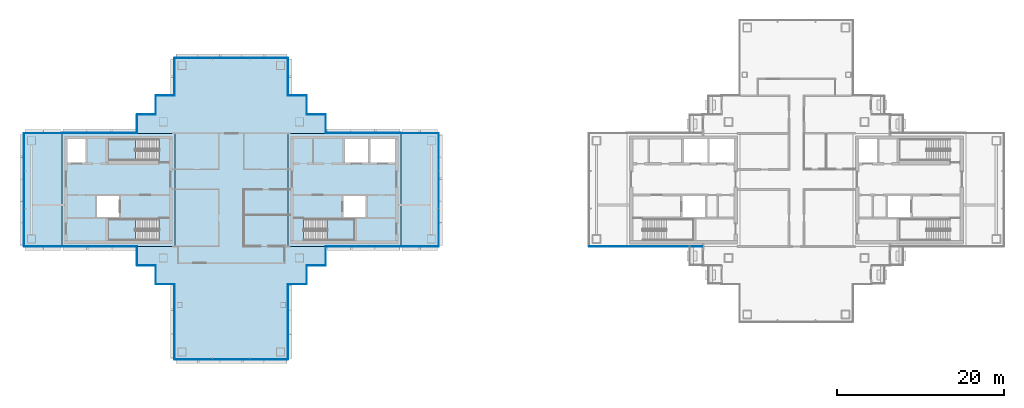
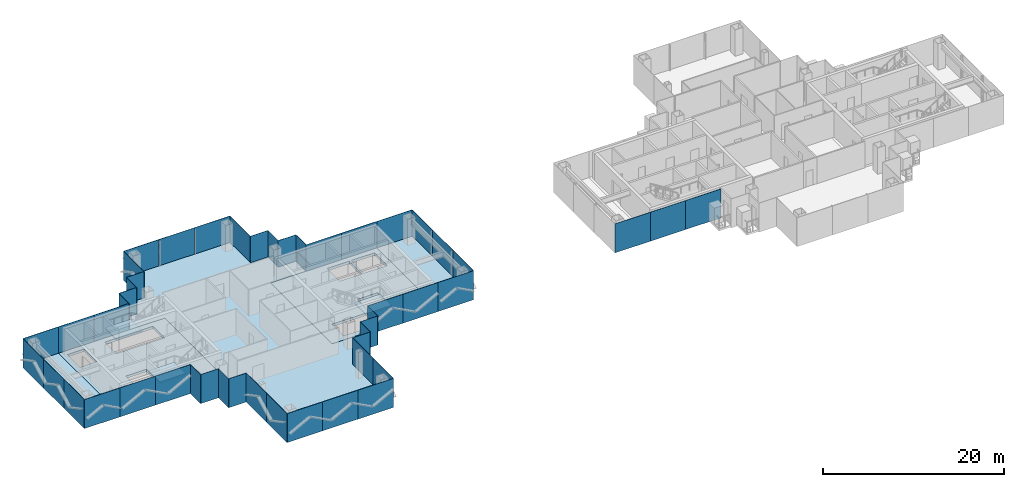
# One storey, part 7 of 17: 49 plates, 8 slabs, 25 elements without a shape of their own.
"""IFC4 building model written with IfcOpenShell, lengths in metres."""

from ifc_helpers import new_model, si_unit, direction, frame, origin, origin_2d, place, context, subcontext, project, spatial, polyline, rectangle, outline, extrude, material, layer, layer_set, type_object, element, aggregate, save


model = new_model("IFC4")

# Units and contexts
model_context = context("Model", 3, precision=1e-05, world=origin(), true_north=direction((0.0, 1.0)))
body_context = subcontext(model_context, "Body", "Model", "MODEL_VIEW")
ifc_project = project(units=[si_unit("LENGTHUNIT", "METRE"), si_unit("AREAUNIT", "SQUARE_METRE"), si_unit("VOLUMEUNIT", "CUBIC_METRE"), si_unit("PLANEANGLEUNIT", "RADIAN"), si_unit("MASSUNIT", "GRAM", prefix="KILO")], contexts=[model_context])

# Site, building, storey
site_placement = place(None, origin())
site = spatial("IfcSite", under=ifc_project, at=site_placement, CompositionType="ELEMENT")
building_placement = place(site_placement, origin())
building = spatial("IfcBuilding", under=site, at=building_placement, Name="Shamsa Quay Exchange Towers", CompositionType="ELEMENT")
storey_placement = place(building_placement, frame((0.0, 0.0, 194.39990234375)))
storey = spatial("IfcBuildingStorey", under=building, at=storey_placement, Name="L46", CompositionType="ELEMENT", Elevation=194.39990234375)

# Slabs
ifc_material_1 = material(Name="Concrete C50/60", Category="concrete")
ifc_layer_1 = layer(ifc_material_1, 0.35009765625)
ifc_layer_set_1 = layer_set([ifc_layer_1], Name="CORE FLOOR 350 C50/60")
slab_type_1 = type_object("IfcSlabType", Name="CORE FLOOR 350 C50/60", PredefinedType="FLOOR", material=ifc_layer_set_1)
slab_1_placement = place(storey_placement, frame((0.0, 0.0, -0.349853515625)))
element("IfcSlab", 1, at=slab_1_placement, inside=storey, type_object=slab_type_1, Name="Core floor T1A", PredefinedType="FLOOR", context=body_context, shape_type="SweptSolid", body=[
    extrude(outline(polyline([(-27.0, -6.75), (-13.5, -6.75), (-13.5, 6.75), (-27.0, 6.75), (-27.0, -6.75)]), holes=[polyline([(-25.099365234375, -6.050048828125), (-25.099365234375, -3.5), (-19.0, -3.5), (-19.0, -6.050048828125), (-25.099365234375, -6.050048828125)]), polyline([(-20.199951171875, 3.25), (-20.199951171875, 6.050048828125), (-17.39990234375, 6.050048828125), (-17.39990234375, 3.25), (-20.199951171875, 3.25)]), polyline([(-17.14990234375, 3.25), (-17.14990234375, 6.050048828125), (-14.199951171875, 6.050048828125), (-14.199951171875, 3.25), (-17.14990234375, 3.25)]), polyline([(-20.35009765625, -3.25), (-20.35009765625, -0.75), (-17.699951171875, -0.75), (-17.699951171875, -3.25), (-20.35009765625, -3.25)])]), origin(), (0.0, 0.0, 1.0), 0.349853515625),
])
slab_2_placement = place(storey_placement, frame((0.0, 0.0, -0.349853515625)))
element("IfcSlab", 2, at=slab_2_placement, inside=storey, type_object=slab_type_1, Name="Core floor T1B", PredefinedType="FLOOR", context=body_context, shape_type="SweptSolid", body=[
    extrude(outline(polyline([(-40.5, -6.75), (-40.5, 6.75), (-54.0, 6.75), (-54.0, -6.75), (-40.5, -6.75)]), holes=[polyline([(-42.400634765625, -3.5), (-42.400634765625, -6.050048828125), (-48.5, -6.050048828125), (-48.5, -3.5), (-42.400634765625, -3.5)]), polyline([(-42.400634765625, 6.050048828125), (-42.400634765625, 3.5), (-48.5, 3.5), (-48.5, 6.050048828125), (-42.400634765625, 6.050048828125)]), polyline([(-51.14990234375, 3.25), (-53.300048828125, 3.25), (-53.300048828125, 6.050048828125), (-51.14990234375, 6.050048828125), (-51.14990234375, 3.25)]), polyline([(-47.14990234375, -3.25), (-49.800048828125, -3.25), (-49.800048828125, -0.75), (-47.14990234375, -0.75), (-47.14990234375, -3.25)])]), origin(), (0.0, 0.0, 1.0), 0.349853515625),
])

# Stair, slab
ifc_material_2 = material(Name="Concrete C40/50", Category="concrete")
stair_type = type_object("IfcStairType", Name="EXIT STAIR 22 RISERS 177 MM", PredefinedType="HALF_TURN_STAIR", material=ifc_material_2)
stair_1_placement = place(storey_placement, origin())
stair_1 = element("IfcStair", 3, at=stair_1_placement, inside=storey, type_object=stair_type, Name="L46 Exit stair ST1", PredefinedType="HALF_TURN_STAIR")
ifc_layer_2 = layer(ifc_material_2, 0.199951171875)
ifc_layer_set_2 = layer_set([ifc_layer_2], Name="CORE STAIR LANDING")
slab_type_2 = type_object("IfcSlabType", Name="CORE STAIR LANDING", PredefinedType="LANDING", material=ifc_layer_set_2)
slab_3_placement = place(storey_placement, frame((0.0, 0.0, 1.75)))
slab_3 = element("IfcSlab", 4, at=slab_3_placement, type_object=slab_type_2, Name="ST1 landing 1", PredefinedType="LANDING", context=body_context, shape_type="SweptSolid", body=[
    extrude(outline(polyline([(-22.300048828125, -6.050048828125), (-19.0, -6.050048828125), (-19.0, -3.5), (-22.300048828125, -3.5), (-22.300048828125, -6.050048828125)])), origin(), (0.0, 0.0, 1.0), 0.2001953125),
])
aggregate(stair_1, [slab_3])

stair_2_placement = place(storey_placement, origin())
stair_2 = element("IfcStair", 5, at=stair_2_placement, inside=storey, type_object=stair_type, Name="L46 Exit stair ST2", PredefinedType="HALF_TURN_STAIR")
slab_4_placement = place(storey_placement, frame((0.0, 0.0, 1.75)))
slab_4 = element("IfcSlab", 6, at=slab_4_placement, type_object=slab_type_2, Name="ST2 landing 1", PredefinedType="LANDING", context=body_context, shape_type="SweptSolid", body=[
    extrude(outline(polyline([(-45.199951171875, -3.5), (-48.5, -3.5), (-48.5, -6.050048828125), (-45.199951171875, -6.050048828125), (-45.199951171875, -3.5)])), origin(), (0.0, 0.0, 1.0), 0.2001953125),
])
aggregate(stair_2, [slab_4])

stair_3_placement = place(storey_placement, origin())
stair_3 = element("IfcStair", 7, at=stair_3_placement, inside=storey, type_object=stair_type, Name="L46 Exit stair ST3", PredefinedType="HALF_TURN_STAIR")
slab_5_placement = place(storey_placement, frame((0.0, 0.0, 1.75)))
slab_5 = element("IfcSlab", 8, at=slab_5_placement, type_object=slab_type_2, Name="ST3 landing 1", PredefinedType="LANDING", context=body_context, shape_type="SweptSolid", body=[
    extrude(outline(polyline([(-45.199951171875, 6.050048828125), (-48.5, 6.050048828125), (-48.5, 3.5), (-45.199951171875, 3.5), (-45.199951171875, 6.050048828125)])), origin(), (0.0, 0.0, 1.0), 0.2001953125),
])
aggregate(stair_3, [slab_5])

# Curtain wall, plates
ifc_material_3 = material(Name="Aluminium EN AW-6063 T6, black anodised", Category="aluminium")
ifc_layer_3 = layer(ifc_material_3, 0.280029296875)
ifc_layer_set_3 = layer_set([ifc_layer_3], Name="CW-1 UNITISED VISION GLASS")
curtain_wall_type_1 = type_object("IfcCurtainWallType", Name="CW-1 UNITISED VISION GLASS", PredefinedType="NOTDEFINED", material=ifc_layer_set_3)
curtain_wall_1_placement = place(storey_placement, origin())
curtain_wall_1 = element("IfcCurtainWall", 9, at=curtain_wall_1_placement, inside=storey, type_object=curtain_wall_type_1, Name="CW1 T1-FLK-V-W L46", PredefinedType="NOTDEFINED")
ifc_material_4 = material(Name="Glass, laminated, dark tinted", Category="glass")
ifc_layer_4 = layer(ifc_material_4, 0.0400390625)
ifc_layer_set_4 = layer_set([ifc_layer_4], Name="CW-1 VISION GLASS 40")
plate_type_1 = type_object("IfcPlateType", Name="CW-1 VISION GLASS 40", PredefinedType="CURTAIN_PANEL", material=ifc_layer_set_4)
plate_1_placement = place(storey_placement, frame((-40.52001953125, -13.52587890625, -0.349853515625), z_axis=(0.0, 0.0, 1.0), x_axis=(0.0, -1.0, 0.0)))
plate_1 = element("IfcPlate", 10, at=plate_1_placement, type_object=plate_type_1, Name="CW1 glass panel", PredefinedType="CURTAIN_PANEL", context=body_context, shape_type="SweptSolid", body=[
    extrude(rectangle(XDim=4.47607421875, YDim=0.0400390625, at=origin_2d()), origin(), (0.0, 0.0, 1.0), 3.89990234375),
])
plate_2_placement = place(storey_placement, frame((-40.52001953125, -18.011962890625, -0.349853515625), z_axis=(0.0, 0.0, 1.0), x_axis=(0.0, -1.0, 0.0)))
plate_2 = element("IfcPlate", 11, at=plate_2_placement, type_object=plate_type_1, Name="CW1 glass panel", PredefinedType="CURTAIN_PANEL", context=body_context, shape_type="SweptSolid", body=[
    extrude(rectangle(XDim=4.47607421875, YDim=0.0400390625, at=origin_2d()), origin(), (0.0, 0.0, 1.0), 3.89990234375),
])
aggregate(curtain_wall_1, [plate_1, plate_2])

curtain_wall_2_placement = place(storey_placement, origin())
curtain_wall_2 = element("IfcCurtainWall", 12, at=curtain_wall_2_placement, inside=storey, type_object=curtain_wall_type_1, Name="CW1 T1-END-V- L46", PredefinedType="NOTDEFINED")
plate_3_placement = place(storey_placement, frame((-38.25244140625, -20.27001953125, -0.349853515625)))
plate_3 = element("IfcPlate", 13, at=plate_3_placement, type_object=plate_type_1, Name="CW1 glass panel", PredefinedType="CURTAIN_PANEL", context=body_context, shape_type="SweptSolid", body=[
    extrude(rectangle(XDim=4.4951171875, YDim=0.0400390625, at=origin_2d()), origin(), (0.0, 0.0, 1.0), 3.89990234375),
])
plate_4_placement = place(storey_placement, frame((-33.75, -20.27001953125, -0.349853515625)))
plate_4 = element("IfcPlate", 14, at=plate_4_placement, type_object=plate_type_1, Name="CW1 glass panel", PredefinedType="CURTAIN_PANEL", context=body_context, shape_type="SweptSolid", body=[
    extrude(rectangle(XDim=4.489990234375, YDim=0.0400390625, at=origin_2d()), origin(), (0.0, 0.0, 1.0), 3.89990234375),
])
plate_5_placement = place(storey_placement, frame((-29.24755859375, -20.27001953125, -0.349853515625)))
plate_5 = element("IfcPlate", 15, at=plate_5_placement, type_object=plate_type_1, Name="CW1 glass panel", PredefinedType="CURTAIN_PANEL", context=body_context, shape_type="SweptSolid", body=[
    extrude(rectangle(XDim=4.4951171875, YDim=0.0400390625, at=origin_2d()), origin(), (0.0, 0.0, 1.0), 3.89990234375),
])
aggregate(curtain_wall_2, [plate_3, plate_4, plate_5])

curtain_wall_3_placement = place(storey_placement, origin())
curtain_wall_3 = element("IfcCurtainWall", 16, at=curtain_wall_3_placement, inside=storey, type_object=curtain_wall_type_1, Name="CW1 T1-FLK-V-E L46", PredefinedType="NOTDEFINED")
plate_6_placement = place(storey_placement, frame((-26.97998046875, -18.00244140625, -0.349853515625), z_axis=(0.0, 0.0, 1.0), x_axis=(0.0, 1.0, 0.0)))
plate_6 = element("IfcPlate", 17, at=plate_6_placement, type_object=plate_type_1, Name="CW1 glass panel", PredefinedType="CURTAIN_PANEL", context=body_context, shape_type="SweptSolid", body=[
    extrude(rectangle(XDim=4.4951171875, YDim=0.0400390625, at=origin_2d()), origin(), (0.0, 0.0, 1.0), 3.89990234375),
])
plate_7_placement = place(storey_placement, frame((-26.97998046875, -13.49755859375, -0.349853515625), z_axis=(0.0, 0.0, 1.0), x_axis=(0.0, 1.0, 0.0)))
plate_7 = element("IfcPlate", 18, at=plate_7_placement, type_object=plate_type_1, Name="CW1 glass panel", PredefinedType="CURTAIN_PANEL", context=body_context, shape_type="SweptSolid", body=[
    extrude(rectangle(XDim=4.4951171875, YDim=0.0400390625, at=origin_2d()), origin(), (0.0, 0.0, 1.0), 3.89990234375),
])
aggregate(curtain_wall_3, [plate_6, plate_7])

# Curtain wall, plate
curtain_wall_4_placement = place(storey_placement, origin())
curtain_wall_4 = element("IfcCurtainWall", 19, at=curtain_wall_4_placement, inside=storey, type_object=curtain_wall_type_1, Name="CW1 T1-FLK-U+S L46", PredefinedType="NOTDEFINED")
plate_8_placement = place(storey_placement, frame((-11.25, -6.77001953125, -0.349853515625)))
plate_8 = element("IfcPlate", 20, at=plate_8_placement, type_object=plate_type_1, Name="CW1 glass panel", PredefinedType="CURTAIN_PANEL", context=body_context, shape_type="SweptSolid", body=[
    extrude(rectangle(XDim=4.5, YDim=0.0400390625, at=origin_2d()), origin(), (0.0, 0.0, 1.0), 3.89990234375),
])
aggregate(curtain_wall_4, [plate_8])

# Curtain wall, plates
curtain_wall_5_placement = place(storey_placement, origin())
curtain_wall_5 = element("IfcCurtainWall", 21, at=curtain_wall_5_placement, inside=storey, type_object=curtain_wall_type_1, Name="CW1 T1-END-U+ L46", PredefinedType="NOTDEFINED")
plate_9_placement = place(storey_placement, frame((-8.97998046875, -4.50244140625, -0.349853515625), z_axis=(0.0, 0.0, 1.0), x_axis=(0.0, 1.0, 0.0)))
plate_9 = element("IfcPlate", 22, at=plate_9_placement, type_object=plate_type_1, Name="CW1 glass panel", PredefinedType="CURTAIN_PANEL", context=body_context, shape_type="SweptSolid", body=[
    extrude(rectangle(XDim=4.4951171875, YDim=0.0400390625, at=origin_2d()), origin(), (0.0, 0.0, 1.0), 3.89990234375),
])
plate_10_placement = place(storey_placement, frame((-8.97998046875, 0.0, -0.349853515625), z_axis=(0.0, 0.0, 1.0), x_axis=(0.0, 1.0, 0.0)))
plate_10 = element("IfcPlate", 23, at=plate_10_placement, type_object=plate_type_1, Name="CW1 glass panel", PredefinedType="CURTAIN_PANEL", context=body_context, shape_type="SweptSolid", body=[
    extrude(rectangle(XDim=4.489990234375, YDim=0.0400390625, at=origin_2d()), origin(), (0.0, 0.0, 1.0), 3.89990234375),
])
plate_11_placement = place(storey_placement, frame((-8.97998046875, 4.50244140625, -0.349853515625), z_axis=(0.0, 0.0, 1.0), x_axis=(0.0, 1.0, 0.0)))
plate_11 = element("IfcPlate", 24, at=plate_11_placement, type_object=plate_type_1, Name="CW1 glass panel", PredefinedType="CURTAIN_PANEL", context=body_context, shape_type="SweptSolid", body=[
    extrude(rectangle(XDim=4.4951171875, YDim=0.0400390625, at=origin_2d()), origin(), (0.0, 0.0, 1.0), 3.89990234375),
])
aggregate(curtain_wall_5, [plate_9, plate_10, plate_11])

# Curtain wall, plate
curtain_wall_6_placement = place(storey_placement, origin())
curtain_wall_6 = element("IfcCurtainWall", 25, at=curtain_wall_6_placement, inside=storey, type_object=curtain_wall_type_1, Name="CW1 T1-FLK-U+N L46", PredefinedType="NOTDEFINED")
plate_12_placement = place(storey_placement, frame((-11.25, 6.77001953125, -0.349853515625), z_axis=(0.0, 0.0, 1.0), x_axis=(-1.0, 0.0, 0.0)))
plate_12 = element("IfcPlate", 26, at=plate_12_placement, type_object=plate_type_1, Name="CW1 glass panel", PredefinedType="CURTAIN_PANEL", context=body_context, shape_type="SweptSolid", body=[
    extrude(rectangle(XDim=4.5, YDim=0.0400390625, at=origin_2d()), origin(), (0.0, 0.0, 1.0), 3.89990234375),
])
aggregate(curtain_wall_6, [plate_12])

curtain_wall_7_placement = place(storey_placement, origin())
curtain_wall_7 = element("IfcCurtainWall", 27, at=curtain_wall_7_placement, inside=storey, type_object=curtain_wall_type_1, Name="CW1 T1-FLK-V+E L46", PredefinedType="NOTDEFINED")
plate_13_placement = place(storey_placement, frame((-26.97998046875, 13.51904296875, -0.349853515625), z_axis=(0.0, 0.0, 1.0), x_axis=(0.0, 1.0, 0.0)))
plate_13 = element("IfcPlate", 28, at=plate_13_placement, type_object=plate_type_1, Name="CW1 glass panel", PredefinedType="CURTAIN_PANEL", context=body_context, shape_type="SweptSolid", body=[
    extrude(rectangle(XDim=4.4619140625, YDim=0.0400390625, at=origin_2d()), origin(), (0.0, 0.0, 1.0), 3.89990234375),
])
aggregate(curtain_wall_7, [plate_13])

# Curtain wall, plates
curtain_wall_8_placement = place(storey_placement, origin())
curtain_wall_8 = element("IfcCurtainWall", 29, at=curtain_wall_8_placement, inside=storey, type_object=curtain_wall_type_1, Name="CW1 T1-END-V+ L46", PredefinedType="NOTDEFINED")
plate_14_placement = place(storey_placement, frame((-29.24755859375, 15.77001953125, -0.349853515625), z_axis=(0.0, 0.0, 1.0), x_axis=(-1.0, 0.0, 0.0)))
plate_14 = element("IfcPlate", 30, at=plate_14_placement, type_object=plate_type_1, Name="CW1 glass panel", PredefinedType="CURTAIN_PANEL", context=body_context, shape_type="SweptSolid", body=[
    extrude(rectangle(XDim=4.4951171875, YDim=0.0400390625, at=origin_2d()), origin(), (0.0, 0.0, 1.0), 3.89990234375),
])
plate_15_placement = place(storey_placement, frame((-33.75, 15.77001953125, -0.349853515625), z_axis=(0.0, 0.0, 1.0), x_axis=(-1.0, 0.0, 0.0)))
plate_15 = element("IfcPlate", 31, at=plate_15_placement, type_object=plate_type_1, Name="CW1 glass panel", PredefinedType="CURTAIN_PANEL", context=body_context, shape_type="SweptSolid", body=[
    extrude(rectangle(XDim=4.489990234375, YDim=0.0400390625, at=origin_2d()), origin(), (0.0, 0.0, 1.0), 3.89990234375),
])
plate_16_placement = place(storey_placement, frame((-38.25244140625, 15.77001953125, -0.349853515625), z_axis=(0.0, 0.0, 1.0), x_axis=(-1.0, 0.0, 0.0)))
plate_16 = element("IfcPlate", 32, at=plate_16_placement, type_object=plate_type_1, Name="CW1 glass panel", PredefinedType="CURTAIN_PANEL", context=body_context, shape_type="SweptSolid", body=[
    extrude(rectangle(XDim=4.4951171875, YDim=0.0400390625, at=origin_2d()), origin(), (0.0, 0.0, 1.0), 3.89990234375),
])
aggregate(curtain_wall_8, [plate_14, plate_15, plate_16])

# Curtain wall, plate
curtain_wall_9_placement = place(storey_placement, origin())
curtain_wall_9 = element("IfcCurtainWall", 33, at=curtain_wall_9_placement, inside=storey, type_object=curtain_wall_type_1, Name="CW1 T1-FLK-V+W L46", PredefinedType="NOTDEFINED")
plate_17_placement = place(storey_placement, frame((-40.52001953125, 13.5, -0.349853515625), z_axis=(0.0, 0.0, 1.0), x_axis=(0.0, -1.0, 0.0)))
plate_17 = element("IfcPlate", 34, at=plate_17_placement, type_object=plate_type_1, Name="CW1 glass panel", PredefinedType="CURTAIN_PANEL", context=body_context, shape_type="SweptSolid", body=[
    extrude(rectangle(XDim=4.5, YDim=0.0400390625, at=origin_2d()), origin(), (0.0, 0.0, 1.0), 3.89990234375),
])
aggregate(curtain_wall_9, [plate_17])

curtain_wall_10_placement = place(storey_placement, origin())
curtain_wall_10 = element("IfcCurtainWall", 35, at=curtain_wall_10_placement, inside=storey, type_object=curtain_wall_type_1, Name="CW1 T1-FLK-U-N L46", PredefinedType="NOTDEFINED")
plate_18_placement = place(storey_placement, frame((-56.25, 6.77001953125, -0.349853515625), z_axis=(0.0, 0.0, 1.0), x_axis=(-1.0, 0.0, 0.0)))
plate_18 = element("IfcPlate", 36, at=plate_18_placement, type_object=plate_type_1, Name="CW1 glass panel", PredefinedType="CURTAIN_PANEL", context=body_context, shape_type="SweptSolid", body=[
    extrude(rectangle(XDim=4.5, YDim=0.0400390625, at=origin_2d()), origin(), (0.0, 0.0, 1.0), 3.89990234375),
])
aggregate(curtain_wall_10, [plate_18])

# Curtain wall, plates
curtain_wall_11_placement = place(storey_placement, origin())
curtain_wall_11 = element("IfcCurtainWall", 37, at=curtain_wall_11_placement, inside=storey, type_object=curtain_wall_type_1, Name="CW1 T1-END-U- L46", PredefinedType="NOTDEFINED")
plate_19_placement = place(storey_placement, frame((-58.52001953125, 4.50244140625, -0.349853515625), z_axis=(0.0, 0.0, 1.0), x_axis=(0.0, -1.0, 0.0)))
plate_19 = element("IfcPlate", 38, at=plate_19_placement, type_object=plate_type_1, Name="CW1 glass panel", PredefinedType="CURTAIN_PANEL", context=body_context, shape_type="SweptSolid", body=[
    extrude(rectangle(XDim=4.4951171875, YDim=0.0400390625, at=origin_2d()), origin(), (0.0, 0.0, 1.0), 3.89990234375),
])
plate_20_placement = place(storey_placement, frame((-58.52001953125, 0.0, -0.349853515625), z_axis=(0.0, 0.0, 1.0), x_axis=(0.0, -1.0, 0.0)))
plate_20 = element("IfcPlate", 39, at=plate_20_placement, type_object=plate_type_1, Name="CW1 glass panel", PredefinedType="CURTAIN_PANEL", context=body_context, shape_type="SweptSolid", body=[
    extrude(rectangle(XDim=4.489990234375, YDim=0.0400390625, at=origin_2d()), origin(), (0.0, 0.0, 1.0), 3.89990234375),
])
plate_21_placement = place(storey_placement, frame((-58.52001953125, -4.50244140625, -0.349853515625), z_axis=(0.0, 0.0, 1.0), x_axis=(0.0, -1.0, 0.0)))
plate_21 = element("IfcPlate", 40, at=plate_21_placement, type_object=plate_type_1, Name="CW1 glass panel", PredefinedType="CURTAIN_PANEL", context=body_context, shape_type="SweptSolid", body=[
    extrude(rectangle(XDim=4.4951171875, YDim=0.0400390625, at=origin_2d()), origin(), (0.0, 0.0, 1.0), 3.89990234375),
])
aggregate(curtain_wall_11, [plate_19, plate_20, plate_21])

# Curtain wall, plate
curtain_wall_12_placement = place(storey_placement, origin())
curtain_wall_12 = element("IfcCurtainWall", 41, at=curtain_wall_12_placement, inside=storey, type_object=curtain_wall_type_1, Name="CW1 T1-FLK-U-S L46", PredefinedType="NOTDEFINED")
plate_22_placement = place(storey_placement, frame((-56.25, -6.77001953125, -0.349853515625)))
plate_22 = element("IfcPlate", 42, at=plate_22_placement, type_object=plate_type_1, Name="CW1 glass panel", PredefinedType="CURTAIN_PANEL", context=body_context, shape_type="SweptSolid", body=[
    extrude(rectangle(XDim=4.5, YDim=0.0400390625, at=origin_2d()), origin(), (0.0, 0.0, 1.0), 3.89990234375),
])
aggregate(curtain_wall_12, [plate_22])

curtain_wall_13_placement = place(storey_placement, origin())
curtain_wall_13 = element("IfcCurtainWall", 43, at=curtain_wall_13_placement, inside=storey, type_object=curtain_wall_type_1, Name="CW1 T2-FLK-V+W L46", PredefinedType="NOTDEFINED")
plate_23_placement = place(storey_placement, frame((11.25, -6.77001953125, -0.349853515625)))
plate_23 = element("IfcPlate", 44, at=plate_23_placement, type_object=plate_type_1, Name="CW1 glass panel", PredefinedType="CURTAIN_PANEL", context=body_context, shape_type="SweptSolid", body=[
    extrude(rectangle(XDim=4.5, YDim=0.0400390625, at=origin_2d()), origin(), (0.0, 0.0, 1.0), 3.89990234375),
])
aggregate(curtain_wall_13, [plate_23])

# Curtain wall, plates
ifc_layer_5 = layer(ifc_material_3, 0.303955078125)
ifc_layer_set_5 = layer_set([ifc_layer_5], Name="CW-2 UNITISED OPAQUE SPANDREL GLASS")
curtain_wall_type_2 = type_object("IfcCurtainWallType", Name="CW-2 UNITISED OPAQUE SPANDREL GLASS", PredefinedType="NOTDEFINED", material=ifc_layer_set_5)
curtain_wall_14_placement = place(storey_placement, origin())
curtain_wall_14 = element("IfcCurtainWall", 45, at=curtain_wall_14_placement, inside=storey, type_object=curtain_wall_type_2, Name="CW2 T1-FLK-U+S L46", PredefinedType="NOTDEFINED")
ifc_material_5 = material(Name="Glass, laminated, black enamelled opaque", Category="glass")
ifc_layer_6 = layer(ifc_material_5, 0.0439453125)
ifc_layer_set_6 = layer_set([ifc_layer_6], Name="CW-2 SPANDREL GLASS 44")
plate_type_2 = type_object("IfcPlateType", Name="CW-2 SPANDREL GLASS 44", PredefinedType="CURTAIN_PANEL", material=ifc_layer_set_6)
plate_24_placement = place(storey_placement, frame((-20.22412109375, -6.77197265625, -0.349853515625)))
plate_24 = element("IfcPlate", 46, at=plate_24_placement, type_object=plate_type_2, Name="CW2 glass panel", PredefinedType="CURTAIN_PANEL", context=body_context, shape_type="SweptSolid", body=[
    extrude(rectangle(XDim=4.47607421875, YDim=0.0439453125, at=origin_2d()), origin(), (0.0, 0.0, 1.0), 3.89990234375),
])
plate_25_placement = place(storey_placement, frame((-15.738037109375, -6.77197265625, -0.349853515625)))
plate_25 = element("IfcPlate", 47, at=plate_25_placement, type_object=plate_type_2, Name="CW2 glass panel", PredefinedType="CURTAIN_PANEL", context=body_context, shape_type="SweptSolid", body=[
    extrude(rectangle(XDim=4.47607421875, YDim=0.0439453125, at=origin_2d()), origin(), (0.0, 0.0, 1.0), 3.89990234375),
])
aggregate(curtain_wall_14, [plate_24, plate_25])

curtain_wall_15_placement = place(storey_placement, origin())
curtain_wall_15 = element("IfcCurtainWall", 48, at=curtain_wall_15_placement, inside=storey, type_object=curtain_wall_type_2, Name="CW2 T1-FLK-U+N L46", PredefinedType="NOTDEFINED")
plate_26_placement = place(storey_placement, frame((-15.74755859375, 6.77197265625, -0.349853515625), z_axis=(0.0, 0.0, 1.0), x_axis=(-1.0, 0.0, 0.0)))
plate_26 = element("IfcPlate", 49, at=plate_26_placement, type_object=plate_type_2, Name="CW2 glass panel", PredefinedType="CURTAIN_PANEL", context=body_context, shape_type="SweptSolid", body=[
    extrude(rectangle(XDim=4.4951171875, YDim=0.0439453125, at=origin_2d()), origin(), (0.0, 0.0, 1.0), 3.89990234375),
])
plate_27_placement = place(storey_placement, frame((-20.25244140625, 6.77197265625, -0.349853515625), z_axis=(0.0, 0.0, 1.0), x_axis=(-1.0, 0.0, 0.0)))
plate_27 = element("IfcPlate", 50, at=plate_27_placement, type_object=plate_type_2, Name="CW2 glass panel", PredefinedType="CURTAIN_PANEL", context=body_context, shape_type="SweptSolid", body=[
    extrude(rectangle(XDim=4.4951171875, YDim=0.0439453125, at=origin_2d()), origin(), (0.0, 0.0, 1.0), 3.89990234375),
])
aggregate(curtain_wall_15, [plate_26, plate_27])

curtain_wall_16_placement = place(storey_placement, origin())
curtain_wall_16 = element("IfcCurtainWall", 51, at=curtain_wall_16_placement, inside=storey, type_object=curtain_wall_type_2, Name="CW2 T1-FLK-U-N L46", PredefinedType="NOTDEFINED")
plate_28_placement = place(storey_placement, frame((-47.27587890625, 6.77197265625, -0.349853515625), z_axis=(0.0, 0.0, 1.0), x_axis=(-1.0, 0.0, 0.0)))
plate_28 = element("IfcPlate", 52, at=plate_28_placement, type_object=plate_type_2, Name="CW2 glass panel", PredefinedType="CURTAIN_PANEL", context=body_context, shape_type="SweptSolid", body=[
    extrude(rectangle(XDim=4.47607421875, YDim=0.0439453125, at=origin_2d()), origin(), (0.0, 0.0, 1.0), 3.89990234375),
])
plate_29_placement = place(storey_placement, frame((-51.761962890625, 6.77197265625, -0.349853515625), z_axis=(0.0, 0.0, 1.0), x_axis=(-1.0, 0.0, 0.0)))
plate_29 = element("IfcPlate", 53, at=plate_29_placement, type_object=plate_type_2, Name="CW2 glass panel", PredefinedType="CURTAIN_PANEL", context=body_context, shape_type="SweptSolid", body=[
    extrude(rectangle(XDim=4.47607421875, YDim=0.0439453125, at=origin_2d()), origin(), (0.0, 0.0, 1.0), 3.89990234375),
])
aggregate(curtain_wall_16, [plate_28, plate_29])

curtain_wall_17_placement = place(storey_placement, origin())
curtain_wall_17 = element("IfcCurtainWall", 54, at=curtain_wall_17_placement, inside=storey, type_object=curtain_wall_type_2, Name="CW2 T1-FLK-U-S L46", PredefinedType="NOTDEFINED")
plate_30_placement = place(storey_placement, frame((-51.75244140625, -6.77197265625, -0.349853515625)))
plate_30 = element("IfcPlate", 55, at=plate_30_placement, type_object=plate_type_2, Name="CW2 glass panel", PredefinedType="CURTAIN_PANEL", context=body_context, shape_type="SweptSolid", body=[
    extrude(rectangle(XDim=4.4951171875, YDim=0.0439453125, at=origin_2d()), origin(), (0.0, 0.0, 1.0), 3.89990234375),
])
plate_31_placement = place(storey_placement, frame((-47.24755859375, -6.77197265625, -0.349853515625)))
plate_31 = element("IfcPlate", 56, at=plate_31_placement, type_object=plate_type_2, Name="CW2 glass panel", PredefinedType="CURTAIN_PANEL", context=body_context, shape_type="SweptSolid", body=[
    extrude(rectangle(XDim=4.4951171875, YDim=0.0439453125, at=origin_2d()), origin(), (0.0, 0.0, 1.0), 3.89990234375),
])
aggregate(curtain_wall_17, [plate_30, plate_31])

curtain_wall_18_placement = place(storey_placement, origin())
curtain_wall_18 = element("IfcCurtainWall", 57, at=curtain_wall_18_placement, inside=storey, type_object=curtain_wall_type_2, Name="CW2 T2-FLK-V+W L46", PredefinedType="NOTDEFINED")
plate_32_placement = place(storey_placement, frame((15.74755859375, -6.77197265625, -0.349853515625)))
plate_32 = element("IfcPlate", 58, at=plate_32_placement, type_object=plate_type_2, Name="CW2 glass panel", PredefinedType="CURTAIN_PANEL", context=body_context, shape_type="SweptSolid", body=[
    extrude(rectangle(XDim=4.4951171875, YDim=0.0439453125, at=origin_2d()), origin(), (0.0, 0.0, 1.0), 3.89990234375),
])
plate_33_placement = place(storey_placement, frame((20.25244140625, -6.77197265625, -0.349853515625)))
plate_33 = element("IfcPlate", 59, at=plate_33_placement, type_object=plate_type_2, Name="CW2 glass panel", PredefinedType="CURTAIN_PANEL", context=body_context, shape_type="SweptSolid", body=[
    extrude(rectangle(XDim=4.4951171875, YDim=0.0439453125, at=origin_2d()), origin(), (0.0, 0.0, 1.0), 3.89990234375),
])
aggregate(curtain_wall_18, [plate_32, plate_33])

ifc_layer_7 = layer(ifc_material_3, 0.256103515625)
ifc_layer_set_7 = layer_set([ifc_layer_7], Name="CW-4 POCKET SERRATED GLAZING")
curtain_wall_type_3 = type_object("IfcCurtainWallType", Name="CW-4 POCKET SERRATED GLAZING", PredefinedType="NOTDEFINED", material=ifc_layer_set_7)
curtain_wall_19_placement = place(storey_placement, origin())
curtain_wall_19 = element("IfcCurtainWall", 60, at=curtain_wall_19_placement, inside=storey, type_object=curtain_wall_type_3, Name="CW4 PKWS L46", PredefinedType="NOTDEFINED")
ifc_layer_8 = layer(ifc_material_4, 0.035888671875)
ifc_layer_set_8 = layer_set([ifc_layer_8], Name="CW-4 POCKET GLASS 36")
plate_type_3 = type_object("IfcPlateType", Name="CW-4 POCKET GLASS 36", PredefinedType="CURTAIN_PANEL", material=ifc_layer_set_8)
plate_34_placement = place(storey_placement, frame((-42.76806640625, -10.14404296875, -0.349853515625), z_axis=(0.0, 0.0, 1.0), x_axis=(0.0, -1.0, 0.0)))
plate_34 = element("IfcPlate", 61, at=plate_34_placement, type_object=plate_type_3, Name="CW4 glass panel", PredefinedType="CURTAIN_PANEL", context=body_context, shape_type="SweptSolid", body=[
    extrude(rectangle(XDim=2.2119140625, YDim=0.035888671875, at=origin_2d()), origin(), (0.0, 0.0, 1.0), 3.89990234375),
])
plate_35_placement = place(storey_placement, frame((-41.625, -11.26806640625, -0.349853515625)))
plate_35 = element("IfcPlate", 62, at=plate_35_placement, type_object=plate_type_3, Name="CW4 glass panel", PredefinedType="CURTAIN_PANEL", context=body_context, shape_type="SweptSolid", body=[
    extrude(rectangle(XDim=2.25, YDim=0.035888671875, at=origin_2d()), origin(), (0.0, 0.0, 1.0), 3.89990234375),
])
plate_36_placement = place(storey_placement, frame((-45.01806640625, -7.89794921875, -0.349853515625), z_axis=(0.0, 0.0, 1.0), x_axis=(0.0, -1.0, 0.0)))
plate_36 = element("IfcPlate", 63, at=plate_36_placement, type_object=plate_type_3, Name="CW4 glass panel", PredefinedType="CURTAIN_PANEL", context=body_context, shape_type="SweptSolid", body=[
    extrude(rectangle(XDim=2.2041015625, YDim=0.035888671875, at=origin_2d()), origin(), (0.0, 0.0, 1.0), 3.89990234375),
])
plate_37_placement = place(storey_placement, frame((-43.875, -9.01806640625, -0.349853515625)))
plate_37 = element("IfcPlate", 64, at=plate_37_placement, type_object=plate_type_3, Name="CW4 glass panel", PredefinedType="CURTAIN_PANEL", context=body_context, shape_type="SweptSolid", body=[
    extrude(rectangle(XDim=2.25, YDim=0.035888671875, at=origin_2d()), origin(), (0.0, 0.0, 1.0), 3.89990234375),
])
aggregate(curtain_wall_19, [plate_34, plate_35, plate_36, plate_37])

curtain_wall_20_placement = place(storey_placement, origin())
curtain_wall_20 = element("IfcCurtainWall", 65, at=curtain_wall_20_placement, inside=storey, type_object=curtain_wall_type_3, Name="CW4 PKES L46", PredefinedType="NOTDEFINED")
plate_38_placement = place(storey_placement, frame((-25.85400390625, -11.26806640625, -0.349853515625)))
plate_38 = element("IfcPlate", 66, at=plate_38_placement, type_object=plate_type_3, Name="CW4 glass panel", PredefinedType="CURTAIN_PANEL", context=body_context, shape_type="SweptSolid", body=[
    extrude(rectangle(XDim=2.2080078125, YDim=0.035888671875, at=origin_2d()), origin(), (0.0, 0.0, 1.0), 3.89990234375),
])
plate_39_placement = place(storey_placement, frame((-24.73193359375, -10.125, -0.349853515625), z_axis=(0.0, 0.0, 1.0), x_axis=(0.0, 1.0, 0.0)))
plate_39 = element("IfcPlate", 67, at=plate_39_placement, type_object=plate_type_3, Name="CW4 glass panel", PredefinedType="CURTAIN_PANEL", context=body_context, shape_type="SweptSolid", body=[
    extrude(rectangle(XDim=2.25, YDim=0.035888671875, at=origin_2d()), origin(), (0.0, 0.0, 1.0), 3.89990234375),
])
plate_40_placement = place(storey_placement, frame((-23.60595703125, -9.01806640625, -0.349853515625)))
plate_40 = element("IfcPlate", 68, at=plate_40_placement, type_object=plate_type_3, Name="CW4 glass panel", PredefinedType="CURTAIN_PANEL", context=body_context, shape_type="SweptSolid", body=[
    extrude(rectangle(XDim=2.2119140625, YDim=0.035888671875, at=origin_2d()), origin(), (0.0, 0.0, 1.0), 3.89990234375),
])
plate_41_placement = place(storey_placement, frame((-22.48193359375, -7.875, -0.349853515625), z_axis=(0.0, 0.0, 1.0), x_axis=(0.0, 1.0, 0.0)))
plate_41 = element("IfcPlate", 69, at=plate_41_placement, type_object=plate_type_3, Name="CW4 glass panel", PredefinedType="CURTAIN_PANEL", context=body_context, shape_type="SweptSolid", body=[
    extrude(rectangle(XDim=2.25, YDim=0.035888671875, at=origin_2d()), origin(), (0.0, 0.0, 1.0), 3.89990234375),
])
aggregate(curtain_wall_20, [plate_38, plate_39, plate_40, plate_41])

curtain_wall_21_placement = place(storey_placement, origin())
curtain_wall_21 = element("IfcCurtainWall", 70, at=curtain_wall_21_placement, inside=storey, type_object=curtain_wall_type_3, Name="CW4 PKEN L46", PredefinedType="NOTDEFINED")
plate_42_placement = place(storey_placement, frame((-22.48193359375, 7.89794921875, -0.349853515625), z_axis=(0.0, 0.0, 1.0), x_axis=(0.0, 1.0, 0.0)))
plate_42 = element("IfcPlate", 71, at=plate_42_placement, type_object=plate_type_3, Name="CW4 glass panel", PredefinedType="CURTAIN_PANEL", context=body_context, shape_type="SweptSolid", body=[
    extrude(rectangle(XDim=2.2041015625, YDim=0.035888671875, at=origin_2d()), origin(), (0.0, 0.0, 1.0), 3.89990234375),
])
plate_43_placement = place(storey_placement, frame((-23.625, 9.01806640625, -0.349853515625), z_axis=(0.0, 0.0, 1.0), x_axis=(-1.0, 0.0, 0.0)))
plate_43 = element("IfcPlate", 72, at=plate_43_placement, type_object=plate_type_3, Name="CW4 glass panel", PredefinedType="CURTAIN_PANEL", context=body_context, shape_type="SweptSolid", body=[
    extrude(rectangle(XDim=2.25, YDim=0.035888671875, at=origin_2d()), origin(), (0.0, 0.0, 1.0), 3.89990234375),
])
plate_44_placement = place(storey_placement, frame((-24.73193359375, 10.14404296875, -0.349853515625), z_axis=(0.0, 0.0, 1.0), x_axis=(0.0, 1.0, 0.0)))
plate_44 = element("IfcPlate", 73, at=plate_44_placement, type_object=plate_type_3, Name="CW4 glass panel", PredefinedType="CURTAIN_PANEL", context=body_context, shape_type="SweptSolid", body=[
    extrude(rectangle(XDim=2.2119140625, YDim=0.035888671875, at=origin_2d()), origin(), (0.0, 0.0, 1.0), 3.89990234375),
])
plate_45_placement = place(storey_placement, frame((-25.875, 11.26806640625, -0.349853515625), z_axis=(0.0, 0.0, 1.0), x_axis=(-1.0, 0.0, 0.0)))
plate_45 = element("IfcPlate", 74, at=plate_45_placement, type_object=plate_type_3, Name="CW4 glass panel", PredefinedType="CURTAIN_PANEL", context=body_context, shape_type="SweptSolid", body=[
    extrude(rectangle(XDim=2.25, YDim=0.035888671875, at=origin_2d()), origin(), (0.0, 0.0, 1.0), 3.89990234375),
])
aggregate(curtain_wall_21, [plate_42, plate_43, plate_44, plate_45])

curtain_wall_22_placement = place(storey_placement, origin())
curtain_wall_22 = element("IfcCurtainWall", 75, at=curtain_wall_22_placement, inside=storey, type_object=curtain_wall_type_3, Name="CW4 PKWN L46", PredefinedType="NOTDEFINED")
plate_46_placement = place(storey_placement, frame((-41.64599609375, 11.26806640625, -0.349853515625), z_axis=(0.0, 0.0, 1.0), x_axis=(-1.0, 0.0, 0.0)))
plate_46 = element("IfcPlate", 76, at=plate_46_placement, type_object=plate_type_3, Name="CW4 glass panel", PredefinedType="CURTAIN_PANEL", context=body_context, shape_type="SweptSolid", body=[
    extrude(rectangle(XDim=2.2080078125, YDim=0.035888671875, at=origin_2d()), origin(), (0.0, 0.0, 1.0), 3.89990234375),
])
plate_47_placement = place(storey_placement, frame((-42.76806640625, 10.125, -0.349853515625), z_axis=(0.0, 0.0, 1.0), x_axis=(0.0, -1.0, 0.0)))
plate_47 = element("IfcPlate", 77, at=plate_47_placement, type_object=plate_type_3, Name="CW4 glass panel", PredefinedType="CURTAIN_PANEL", context=body_context, shape_type="SweptSolid", body=[
    extrude(rectangle(XDim=2.25, YDim=0.035888671875, at=origin_2d()), origin(), (0.0, 0.0, 1.0), 3.89990234375),
])
plate_48_placement = place(storey_placement, frame((-43.89404296875, 9.01806640625, -0.349853515625), z_axis=(0.0, 0.0, 1.0), x_axis=(-1.0, 0.0, 0.0)))
plate_48 = element("IfcPlate", 78, at=plate_48_placement, type_object=plate_type_3, Name="CW4 glass panel", PredefinedType="CURTAIN_PANEL", context=body_context, shape_type="SweptSolid", body=[
    extrude(rectangle(XDim=2.2119140625, YDim=0.035888671875, at=origin_2d()), origin(), (0.0, 0.0, 1.0), 3.89990234375),
])
plate_49_placement = place(storey_placement, frame((-45.01806640625, 7.875, -0.349853515625), z_axis=(0.0, 0.0, 1.0), x_axis=(0.0, -1.0, 0.0)))
plate_49 = element("IfcPlate", 79, at=plate_49_placement, type_object=plate_type_3, Name="CW4 glass panel", PredefinedType="CURTAIN_PANEL", context=body_context, shape_type="SweptSolid", body=[
    extrude(rectangle(XDim=2.25, YDim=0.035888671875, at=origin_2d()), origin(), (0.0, 0.0, 1.0), 3.89990234375),
])
aggregate(curtain_wall_22, [plate_46, plate_47, plate_48, plate_49])

# Slabs
ifc_layer_9 = layer(ifc_material_2, 0.35009765625)
ifc_layer_set_9 = layer_set([ifc_layer_9], Name="Flat slab 350")
slab_type_3 = type_object("IfcSlabType", Name="Flat slab 350", PredefinedType="FLOOR", material=ifc_layer_set_9)
slab_6_placement = place(storey_placement, frame((0.0, 0.0, -0.349853515625)))
element("IfcSlab", 80, at=slab_6_placement, inside=storey, type_object=slab_type_3, Name="Flat slab T1 L46 1", PredefinedType="FLOOR", context=body_context, shape_type="SweptSolid", body=[
    extrude(outline(polyline([(-58.5, -6.75), (-54.0, -6.75), (-54.0, 6.75), (-58.5, 6.75), (-58.5, -6.75)])), origin(), (0.0, 0.0, 1.0), 0.349853515625),
])
slab_7_placement = place(storey_placement, frame((0.0, 0.0, -0.349853515625)))
element("IfcSlab", 81, at=slab_7_placement, inside=storey, type_object=slab_type_3, Name="Flat slab T1 L46 2", PredefinedType="FLOOR", context=body_context, shape_type="SweptSolid", body=[
    extrude(outline(polyline([(-22.5, -9.0), (-22.5, -6.75), (-27.0, -6.75), (-27.0, 6.75), (-22.5, 6.75), (-22.5, 9.0), (-24.75, 9.0), (-24.75, 11.25), (-27.0, 11.25), (-27.0, 15.75), (-40.5, 15.75), (-40.5, 11.25), (-42.75, 11.25), (-42.75, 9.0), (-45.0, 9.0), (-45.0, 6.75), (-40.5, 6.75), (-40.5, -6.75), (-45.0, -6.75), (-45.0, -9.0), (-42.75, -9.0), (-42.75, -11.25), (-40.5, -11.25), (-40.5, -20.25), (-27.0, -20.25), (-27.0, -11.25), (-24.75, -11.25), (-24.75, -9.0), (-22.5, -9.0)])), origin(), (0.0, 0.0, 1.0), 0.349853515625),
])
slab_8_placement = place(storey_placement, frame((0.0, 0.0, -0.349853515625)))
element("IfcSlab", 82, at=slab_8_placement, inside=storey, type_object=slab_type_3, Name="Flat slab T1 L46 3", PredefinedType="FLOOR", context=body_context, shape_type="SweptSolid", body=[
    extrude(outline(polyline([(-9.0, 6.75), (-13.5, 6.75), (-13.5, -6.75), (-9.0, -6.75), (-9.0, 6.75)])), origin(), (0.0, 0.0, 1.0), 0.349853515625),
])

save(model, "model.ifc")
